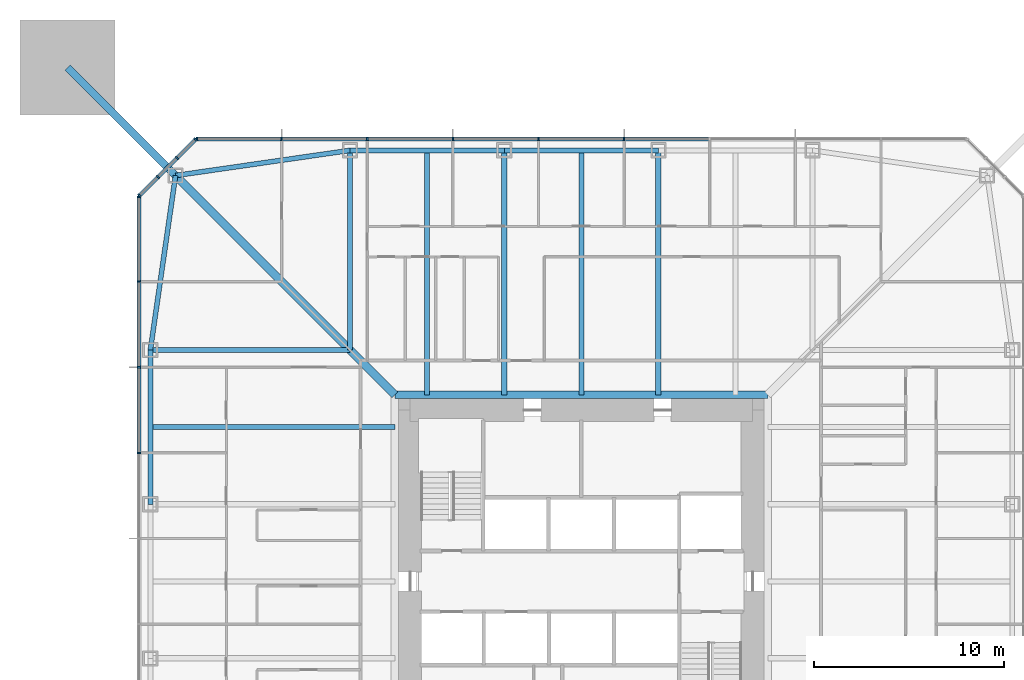
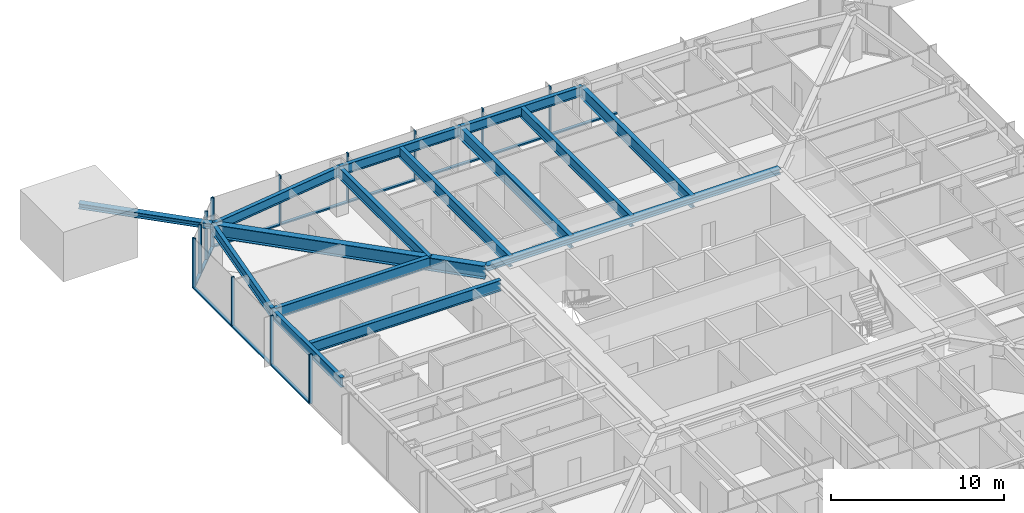
# One storey, part 6 of 26: 27 members, 14 beams, 3 elements without a shape of their own.
"""IFC4 building model written with IfcOpenShell, lengths in metres."""

from ifc_helpers import new_model, si_unit, direction, frame, origin, origin_2d, place, context, subcontext, project, spatial, rectangle, i_section, extrude, material, material_profile, profile_set, type_object, element, aggregate, save


model = new_model("IFC4")

# Units and contexts
model_context = context("Model", 3, precision=1e-05, world=origin(), true_north=direction((0.0, 1.0)))
body_context = subcontext(model_context, "Body", "Model", "MODEL_VIEW")
ifc_project = project(units=[si_unit("LENGTHUNIT", "METRE"), si_unit("AREAUNIT", "SQUARE_METRE"), si_unit("VOLUMEUNIT", "CUBIC_METRE"), si_unit("PLANEANGLEUNIT", "RADIAN"), si_unit("MASSUNIT", "GRAM", prefix="KILO")], contexts=[model_context])

# Site, building, storey
site_placement = place(None, origin())
site = spatial("IfcSite", under=ifc_project, at=site_placement, CompositionType="ELEMENT")
building_placement = place(site_placement, origin())
building = spatial("IfcBuilding", under=site, at=building_placement, Name="Iwan Alto Co-Living Towers", CompositionType="ELEMENT")
storey_placement = place(building_placement, frame((0.0, 0.0, 67.5)))
storey = spatial("IfcBuildingStorey", under=building, at=storey_placement, Name="L18", CompositionType="ELEMENT", Elevation=67.5)

# Curtain wall, members
ifc_material_1 = material(Name="Bronze aluminium unitised frame", Category="aluminium")
curtain_wall_type_1 = type_object("IfcCurtainWallType", Name="CURTAIN WALL CW-A", PredefinedType="NOTDEFINED", material=ifc_material_1)
curtain_wall_1_placement = place(storey_placement, origin())
curtain_wall_1 = element("IfcCurtainWall", 1, at=curtain_wall_1_placement, inside=storey, type_object=curtain_wall_type_1, Name="T1 curtain wall N L18", PredefinedType="NOTDEFINED")
ifc_material_2 = material(Name="Aluminium 6063-T6 bronze anodised", Category="aluminium")
ifc_material_profile_1 = material_profile(ifc_material_2, rectangle(XDim=0.199951171875, YDim=0.080078125, at=origin_2d()), Name="AL 80X200")
ifc_profile_set_1 = profile_set([ifc_material_profile_1], Name="Aluminium 6063-T6 bronze anodised")
member_type_1 = type_object("IfcMemberType", Name="CW-A MULLION 80X200", PredefinedType="MULLION", material=ifc_profile_set_1)
member_1_placement = place(storey_placement, frame((2.25, 23.25, 0.0), z_axis=(0.0, 0.0, 1.0), x_axis=(0.0, -1.0, 0.0)))
member_1 = element("IfcMember", 2, at=member_1_placement, type_object=member_type_1, Name="CW-A mullion 5", PredefinedType="MULLION", context=body_context, shape_type="SweptSolid", body=[
    extrude(rectangle(XDim=0.199951171875, YDim=0.080078125, at=origin_2d()), origin(), (0.0, 0.0, 1.0), 3.5),
])
member_2_placement = place(storey_placement, frame((-2.25, 23.25, 0.0), z_axis=(0.0, 0.0, 1.0), x_axis=(0.0, -1.0, 0.0)))
member_2 = element("IfcMember", 3, at=member_2_placement, type_object=member_type_1, Name="CW-A mullion 6", PredefinedType="MULLION", context=body_context, shape_type="SweptSolid", body=[
    extrude(rectangle(XDim=0.199951171875, YDim=0.080078125, at=origin_2d()), origin(), (0.0, 0.0, 1.0), 3.5),
])
member_3_placement = place(storey_placement, frame((-6.75, 23.25, 0.0), z_axis=(0.0, 0.0, 1.0), x_axis=(0.0, -1.0, 0.0)))
member_3 = element("IfcMember", 4, at=member_3_placement, type_object=member_type_1, Name="CW-A mullion 7", PredefinedType="MULLION", context=body_context, shape_type="SweptSolid", body=[
    extrude(rectangle(XDim=0.199951171875, YDim=0.080078125, at=origin_2d()), origin(), (0.0, 0.0, 1.0), 3.5),
])
member_4_placement = place(storey_placement, frame((-11.25, 23.25, 0.0), z_axis=(0.0, 0.0, 1.0), x_axis=(0.0, -1.0, 0.0)))
member_4 = element("IfcMember", 5, at=member_4_placement, type_object=member_type_1, Name="CW-A mullion 8", PredefinedType="MULLION", context=body_context, shape_type="SweptSolid", body=[
    extrude(rectangle(XDim=0.199951171875, YDim=0.080078125, at=origin_2d()), origin(), (0.0, 0.0, 1.0), 3.5),
])
member_5_placement = place(storey_placement, frame((-15.75, 23.25, 0.0), z_axis=(0.0, 0.0, 1.0), x_axis=(0.0, -1.0, 0.0)))
member_5 = element("IfcMember", 6, at=member_5_placement, type_object=member_type_1, Name="CW-A mullion 9", PredefinedType="MULLION", context=body_context, shape_type="SweptSolid", body=[
    extrude(rectangle(XDim=0.199951171875, YDim=0.080078125, at=origin_2d()), origin(), (0.0, 0.0, 1.0), 3.5),
])
member_6_placement = place(storey_placement, frame((-20.2099609375, 23.25, 0.0), z_axis=(0.0, 0.0, 1.0), x_axis=(0.0, -1.0, 0.0)))
member_6 = element("IfcMember", 7, at=member_6_placement, type_object=member_type_1, Name="CW-A mullion 10", PredefinedType="MULLION", context=body_context, shape_type="SweptSolid", body=[
    extrude(rectangle(XDim=0.199951171875, YDim=0.080078125, at=origin_2d()), origin(), (0.0, 0.0, 1.0), 3.5),
])

curtain_wall_2_placement = place(storey_placement, origin())
curtain_wall_2 = element("IfcCurtainWall", 8, at=curtain_wall_2_placement, inside=storey, type_object=curtain_wall_type_1, Name="T1 curtain wall W L18", PredefinedType="NOTDEFINED")
member_7_placement = place(storey_placement, frame((-23.25, 20.2099609375, 0.0), z_axis=(0.0, 0.0, 1.0), x_axis=(1.0, 0.0, 0.0)))
member_7 = element("IfcMember", 9, at=member_7_placement, type_object=member_type_1, Name="CW-A mullion 1", PredefinedType="MULLION", context=body_context, shape_type="SweptSolid", body=[
    extrude(rectangle(XDim=0.199951171875, YDim=0.080078125, at=origin_2d()), origin(), (0.0, 0.0, 1.0), 3.5),
])
member_8_placement = place(storey_placement, frame((-23.25, 15.75, 0.0), z_axis=(0.0, 0.0, 1.0), x_axis=(1.0, 0.0, 0.0)))
member_8 = element("IfcMember", 10, at=member_8_placement, type_object=member_type_1, Name="CW-A mullion 2", PredefinedType="MULLION", context=body_context, shape_type="SweptSolid", body=[
    extrude(rectangle(XDim=0.199951171875, YDim=0.080078125, at=origin_2d()), origin(), (0.0, 0.0, 1.0), 3.5),
])
member_9_placement = place(storey_placement, frame((-23.25, 11.25, 0.0), z_axis=(0.0, 0.0, 1.0), x_axis=(1.0, 0.0, 0.0)))
member_9 = element("IfcMember", 11, at=member_9_placement, type_object=member_type_1, Name="CW-A mullion 3", PredefinedType="MULLION", context=body_context, shape_type="SweptSolid", body=[
    extrude(rectangle(XDim=0.199951171875, YDim=0.080078125, at=origin_2d()), origin(), (0.0, 0.0, 1.0), 3.5),
])
member_10_placement = place(storey_placement, frame((-23.25, 6.75, 0.0), z_axis=(0.0, 0.0, 1.0), x_axis=(1.0, 0.0, 0.0)))
member_10 = element("IfcMember", 12, at=member_10_placement, type_object=member_type_1, Name="CW-A mullion 4", PredefinedType="MULLION", context=body_context, shape_type="SweptSolid", body=[
    extrude(rectangle(XDim=0.199951171875, YDim=0.080078125, at=origin_2d()), origin(), (0.0, 0.0, 1.0), 3.5),
])

# Member
ifc_material_3 = material(Name="Aluminium 6063-T6 bronze anodised", Category="aluminium")
ifc_material_profile_2 = material_profile(ifc_material_3, rectangle(XDim=0.199951171875, YDim=0.10009765625, at=origin_2d()), Name="AL 200X100")
ifc_profile_set_2 = profile_set([ifc_material_profile_2], Name="Aluminium 6063-T6 bronze anodised")
member_type_2 = type_object("IfcMemberType", Name="CW-A TRANSOM 200X100", PredefinedType="USERDEFINED", material=ifc_profile_set_2)
member_11_placement = place(storey_placement, frame((6.7099609375, 23.25, 0.050048828125), z_axis=(-1.0, 0.0, 0.0), x_axis=(0.0, -1.0, 0.0)))
member_11 = element("IfcMember", 13, at=member_11_placement, type_object=member_type_2, Name="CW-A transom 4.1", ObjectType="TRANSOM", PredefinedType="USERDEFINED", context=body_context, shape_type="SweptSolid", body=[
    extrude(rectangle(XDim=0.199951171875, YDim=0.10009765625, at=origin_2d()), origin(), (0.0, 0.0, 1.0), 4.419921875),
])

member_12_placement = place(storey_placement, frame((2.2099609375, 23.25, 0.050048828125), z_axis=(-1.0, 0.0, 0.0), x_axis=(0.0, -1.0, 0.0)))
member_12 = element("IfcMember", 14, at=member_12_placement, type_object=member_type_2, Name="CW-A transom 5.1", ObjectType="TRANSOM", PredefinedType="USERDEFINED", context=body_context, shape_type="SweptSolid", body=[
    extrude(rectangle(XDim=0.199951171875, YDim=0.10009765625, at=origin_2d()), origin(), (0.0, 0.0, 1.0), 4.419921875),
])

member_13_placement = place(storey_placement, frame((-2.2900390625, 23.25, 0.050048828125), z_axis=(-1.0, 0.0, 0.0), x_axis=(0.0, -1.0, 0.0)))
member_13 = element("IfcMember", 15, at=member_13_placement, type_object=member_type_2, Name="CW-A transom 6.1", ObjectType="TRANSOM", PredefinedType="USERDEFINED", context=body_context, shape_type="SweptSolid", body=[
    extrude(rectangle(XDim=0.199951171875, YDim=0.10009765625, at=origin_2d()), origin(), (0.0, 0.0, 1.0), 4.419921875),
])

member_14_placement = place(storey_placement, frame((-6.7900390625, 23.25, 0.050048828125), z_axis=(-1.0, 0.0, 0.0), x_axis=(0.0, -1.0, 0.0)))
member_14 = element("IfcMember", 16, at=member_14_placement, type_object=member_type_2, Name="CW-A transom 7.1", ObjectType="TRANSOM", PredefinedType="USERDEFINED", context=body_context, shape_type="SweptSolid", body=[
    extrude(rectangle(XDim=0.199951171875, YDim=0.10009765625, at=origin_2d()), origin(), (0.0, 0.0, 1.0), 4.419921875),
])

member_15_placement = place(storey_placement, frame((-11.2900390625, 23.25, 0.050048828125), z_axis=(-1.0, 0.0, 0.0), x_axis=(0.0, -1.0, 0.0)))
member_15 = element("IfcMember", 17, at=member_15_placement, type_object=member_type_2, Name="CW-A transom 8.1", ObjectType="TRANSOM", PredefinedType="USERDEFINED", context=body_context, shape_type="SweptSolid", body=[
    extrude(rectangle(XDim=0.199951171875, YDim=0.10009765625, at=origin_2d()), origin(), (0.0, 0.0, 1.0), 4.419921875),
])

member_16_placement = place(storey_placement, frame((-15.7900390625, 23.25, 0.050048828125), z_axis=(-1.0, 0.0, 0.0), x_axis=(0.0, -1.0, 0.0)))
member_16 = element("IfcMember", 18, at=member_16_placement, type_object=member_type_2, Name="CW-A transom 9.1", ObjectType="TRANSOM", PredefinedType="USERDEFINED", context=body_context, shape_type="SweptSolid", body=[
    extrude(rectangle(XDim=0.199951171875, YDim=0.10009765625, at=origin_2d()), origin(), (0.0, 0.0, 1.0), 4.3798828125),
])

aggregate(curtain_wall_1, [member_1, member_2, member_3, member_4, member_5, member_6, member_11, member_12, member_13, member_14, member_15, member_16])

member_17_placement = place(storey_placement, frame((-23.25, 20.169921875, 0.050048828125), z_axis=(0.0, -1.0, 0.0), x_axis=(1.0, 0.0, 0.0)))
member_17 = element("IfcMember", 19, at=member_17_placement, type_object=member_type_2, Name="CW-A transom 1.1", ObjectType="TRANSOM", PredefinedType="USERDEFINED", context=body_context, shape_type="SweptSolid", body=[
    extrude(rectangle(XDim=0.199951171875, YDim=0.10009765625, at=origin_2d()), origin(), (0.0, 0.0, 1.0), 4.3798828125),
])

member_18_placement = place(storey_placement, frame((-23.25, 15.7099609375, 0.050048828125), z_axis=(0.0, -1.0, 0.0), x_axis=(1.0, 0.0, 0.0)))
member_18 = element("IfcMember", 20, at=member_18_placement, type_object=member_type_2, Name="CW-A transom 2.1", ObjectType="TRANSOM", PredefinedType="USERDEFINED", context=body_context, shape_type="SweptSolid", body=[
    extrude(rectangle(XDim=0.199951171875, YDim=0.10009765625, at=origin_2d()), origin(), (0.0, 0.0, 1.0), 4.419921875),
])

member_19_placement = place(storey_placement, frame((-23.25, 11.2099609375, 0.050048828125), z_axis=(0.0, -1.0, 0.0), x_axis=(1.0, 0.0, 0.0)))
member_19 = element("IfcMember", 21, at=member_19_placement, type_object=member_type_2, Name="CW-A transom 3.1", ObjectType="TRANSOM", PredefinedType="USERDEFINED", context=body_context, shape_type="SweptSolid", body=[
    extrude(rectangle(XDim=0.199951171875, YDim=0.10009765625, at=origin_2d()), origin(), (0.0, 0.0, 1.0), 4.419921875),
])

aggregate(curtain_wall_2, [member_7, member_8, member_9, member_10, member_17, member_18, member_19])

# Curtain wall, members
ifc_material_4 = material(Name="Bronze aluminium unitised frame", Category="aluminium")
curtain_wall_type_2 = type_object("IfcCurtainWallType", Name="CURTAIN WALL CW-B", PredefinedType="NOTDEFINED", material=ifc_material_4)
curtain_wall_3_placement = place(storey_placement, origin())
curtain_wall_3 = element("IfcCurtainWall", 22, at=curtain_wall_3_placement, inside=storey, type_object=curtain_wall_type_2, Name="T1 chamfer curtain wall NW L18", PredefinedType="NOTDEFINED")
ifc_material_5 = material(Name="Aluminium 6063-T6 bronze anodised", Category="aluminium")
ifc_material_profile_3 = material_profile(ifc_material_5, rectangle(XDim=0.199951171875, YDim=0.080078125, at=origin_2d()), Name="AL 80X200")
ifc_profile_set_3 = profile_set([ifc_material_profile_3], Name="Aluminium 6063-T6 bronze anodised")
member_type_3 = type_object("IfcMemberType", Name="CW-B MULLION 80X200", PredefinedType="MULLION", material=ifc_profile_set_3)
member_20_placement = place(storey_placement, frame((-20.2783203125, 23.2216796875, 0.0), z_axis=(0.0, 0.0, 1.0), x_axis=(0.707106781187, -0.707106781187, 0.0)))
member_20 = element("IfcMember", 23, at=member_20_placement, type_object=member_type_3, Name="CW-B mullion 1", PredefinedType="MULLION", context=body_context, shape_type="SweptSolid", body=[
    extrude(rectangle(XDim=0.199951171875, YDim=0.080078125, at=origin_2d()), origin(), (0.0, 0.0, 1.0), 3.5),
])
member_21_placement = place(storey_placement, frame((-21.25, 22.25, 0.0), z_axis=(0.0, 0.0, 1.0), x_axis=(0.707106781187, -0.707106781187, 0.0)))
member_21 = element("IfcMember", 24, at=member_21_placement, type_object=member_type_3, Name="CW-B mullion 2", PredefinedType="MULLION", context=body_context, shape_type="SweptSolid", body=[
    extrude(rectangle(XDim=0.199951171875, YDim=0.080078125, at=origin_2d()), origin(), (0.0, 0.0, 1.0), 3.5),
])
member_22_placement = place(storey_placement, frame((-22.25, 21.25, 0.0), z_axis=(0.0, 0.0, 1.0), x_axis=(0.707106781187, -0.707106781187, 0.0)))
member_22 = element("IfcMember", 25, at=member_22_placement, type_object=member_type_3, Name="CW-B mullion 3", PredefinedType="MULLION", context=body_context, shape_type="SweptSolid", body=[
    extrude(rectangle(XDim=0.199951171875, YDim=0.080078125, at=origin_2d()), origin(), (0.0, 0.0, 1.0), 3.5),
])
member_23_placement = place(storey_placement, frame((-23.2216796875, 20.2783203125, 0.0), z_axis=(0.0, 0.0, 1.0), x_axis=(0.707106781187, -0.707106781187, 0.0)))
member_23 = element("IfcMember", 26, at=member_23_placement, type_object=member_type_3, Name="CW-B mullion 4", PredefinedType="MULLION", context=body_context, shape_type="SweptSolid", body=[
    extrude(rectangle(XDim=0.199951171875, YDim=0.080078125, at=origin_2d()), origin(), (0.0, 0.0, 1.0), 3.5),
])
ifc_material_6 = material(Name="Aluminium 6063-T6 bronze anodised", Category="aluminium")
ifc_material_profile_4 = material_profile(ifc_material_6, rectangle(XDim=0.199951171875, YDim=0.10009765625, at=origin_2d()), Name="AL 200X100")
ifc_profile_set_4 = profile_set([ifc_material_profile_4], Name="Aluminium 6063-T6 bronze anodised")
member_type_4 = type_object("IfcMemberType", Name="CW-B TRANSOM 200X100", PredefinedType="USERDEFINED", material=ifc_profile_set_4)
member_24_placement = place(storey_placement, frame((-20.306640625, 23.193359375, 0.050048828125), z_axis=(-0.707106781187, -0.707106781187, 0.0), x_axis=(0.707106781187, -0.707106781187, 0.0)))
member_24 = element("IfcMember", 27, at=member_24_placement, type_object=member_type_4, Name="CW-B transom 1.1", ObjectType="TRANSOM", PredefinedType="USERDEFINED", context=body_context, shape_type="SweptSolid", body=[
    extrude(rectangle(XDim=0.199951171875, YDim=0.10009765625, at=origin_2d()), origin(), (0.0, 0.0, 1.0), 1.2939453125),
])
member_25_placement = place(storey_placement, frame((-21.2783203125, 22.2216796875, 0.050048828125), z_axis=(-0.707106781187, -0.707106781187, 0.0), x_axis=(0.707106781187, -0.707106781187, 0.0)))
member_25 = element("IfcMember", 28, at=member_25_placement, type_object=member_type_4, Name="CW-B transom 2.1", ObjectType="TRANSOM", PredefinedType="USERDEFINED", context=body_context, shape_type="SweptSolid", body=[
    extrude(rectangle(XDim=0.199951171875, YDim=0.10009765625, at=origin_2d()), origin(), (0.0, 0.0, 1.0), 1.334228515625),
])
member_26_placement = place(storey_placement, frame((-22.2783203125, 21.2216796875, 0.050048828125), z_axis=(-0.707106781187, -0.707106781187, 0.0), x_axis=(0.707106781187, -0.707106781187, 0.0)))
member_26 = element("IfcMember", 29, at=member_26_placement, type_object=member_type_4, Name="CW-B transom 3.1", ObjectType="TRANSOM", PredefinedType="USERDEFINED", context=body_context, shape_type="SweptSolid", body=[
    extrude(rectangle(XDim=0.199951171875, YDim=0.10009765625, at=origin_2d()), origin(), (0.0, 0.0, 1.0), 1.2939453125),
])
aggregate(curtain_wall_3, [member_20, member_21, member_22, member_23, member_24, member_25, member_26])

# Beams
ifc_material_7 = material(Name="Steel ASTM A992 Gr 50", Category="steel")
ifc_material_profile_5 = material_profile(ifc_material_7, i_section(OverallWidth=0.398681640625, OverallDepth=0.385986328125, WebThickness=0.02099609375, FlangeThickness=0.033203125, at=origin_2d()), Name="W14X176")
ifc_profile_set_5 = profile_set([ifc_material_profile_5], Name="Steel ASTM A992 Gr 50")
beam_type_1 = type_object("IfcBeamType", Name="T1 CORE LEDGER BEAM W14X176", PredefinedType="BEAM", material=ifc_profile_set_5)
beam_1_placement = place(storey_placement, frame((9.79931640625, 9.79931640625, 3.076904296875), z_axis=(-1.0, 0.0, 0.0), x_axis=(0.0, -1.0, 0.0)))
element("IfcBeam", 30, at=beam_1_placement, inside=storey, type_object=beam_type_1, Name="T1 core ledger beam N L19", PredefinedType="BEAM", context=body_context, shape_type="SweptSolid", body=[
    extrude(i_section(OverallWidth=0.398681640625, OverallDepth=0.385986328125, WebThickness=0.02099609375, FlangeThickness=0.033203125, at=origin_2d()), origin(), (0.0, 0.0, 1.0), 19.5986328125),
])
ifc_material_8 = material(Name="Steel ASTM A992 Gr 50", Category="steel")
ifc_material_profile_6 = material_profile(ifc_material_8, i_section(OverallWidth=0.419189453125, OverallDepth=0.927001953125, WebThickness=0.019287109375, FlangeThickness=0.031982421875, at=origin_2d()), Name="W36X231")
ifc_profile_set_6 = profile_set([ifc_material_profile_6], Name="Steel ASTM A992 Gr 50")
beam_type_2 = type_object("IfcBeamType", Name="T1 CORNER GIRDER W36X231", PredefinedType="BEAM", material=ifc_profile_set_6)
beam_2_placement = place(storey_placement, frame((-21.32568359375, 21.32568359375, 2.806396484375), z_axis=(0.707106781187, -0.707106781187, 0.0), x_axis=(0.707106781187, 0.707106781187, 0.0)))
element("IfcBeam", 31, at=beam_2_placement, inside=storey, type_object=beam_type_2, Name="T1 corner girder CNW L19", PredefinedType="BEAM", context=body_context, shape_type="SweptSolid", body=[
    extrude(i_section(OverallWidth=0.419189453125, OverallDepth=0.927001953125, WebThickness=0.019287109375, FlangeThickness=0.031982421875, at=origin_2d()), origin(), (0.0, 0.0, 1.0), 16.30078125),
])
ifc_material_9 = material(Name="Steel ASTM A992 Gr 50", Category="steel")
ifc_material_profile_7 = material_profile(ifc_material_9, i_section(OverallWidth=0.25390625, OverallDepth=0.683349609375, WebThickness=0.012451171875, FlangeThickness=0.018798828125, at=origin_2d()), Name="W27X94")
ifc_profile_set_7 = profile_set([ifc_material_profile_7], Name="Steel ASTM A992 Gr 50")
beam_type_3 = type_object("IfcBeamType", Name="T1 EDGE BEAM W27X94", PredefinedType="BEAM", material=ifc_profile_set_7)
beam_3_placement = place(storey_placement, frame((4.050048828125, 22.64990234375, 2.928466796875), z_axis=(-1.0, 0.0, 0.0), x_axis=(0.0, -1.0, 0.0)))
element("IfcBeam", 32, at=beam_3_placement, inside=storey, type_object=beam_type_3, Name="T1 edge beam N2 L19", PredefinedType="BEAM", context=body_context, shape_type="SweptSolid", body=[
    extrude(i_section(OverallWidth=0.25390625, OverallDepth=0.683349609375, WebThickness=0.012451171875, FlangeThickness=0.018798828125, at=origin_2d()), origin(), (0.0, 0.0, 1.0), 8.10009765625),
])
beam_4_placement = place(storey_placement, frame((-4.050048828125, 22.64990234375, 2.928466796875), z_axis=(-1.0, 0.0, 0.0), x_axis=(0.0, -1.0, 0.0)))
element("IfcBeam", 33, at=beam_4_placement, inside=storey, type_object=beam_type_3, Name="T1 edge beam N3 L19", PredefinedType="BEAM", context=body_context, shape_type="SweptSolid", body=[
    extrude(i_section(OverallWidth=0.25390625, OverallDepth=0.683349609375, WebThickness=0.012451171875, FlangeThickness=0.018798828125, at=origin_2d()), origin(), (0.0, 0.0, 1.0), 8.099853515625),
])
for number, where, z_axis, x_axis, name in (
    (34, (-12.14990234375, 22.64990234375, 2.928466796875), (-0.989746234347, -0.142836940589, 0.0), (0.142836940589, -0.989746234347, 0.0), "T1 edge beam N4 L19"),
    (35, (-21.32568359375, 21.32568359375, 2.928466796875), (-0.142836940589, -0.989746234347, 0.0), (0.989746234347, -0.142836940589, 0.0), "T1 edge beam CNW L19"),
):
    element("IfcBeam", number, at=place(storey_placement, frame(where, z_axis=z_axis, x_axis=x_axis)), inside=storey, type_object=beam_type_3, Name=name, PredefinedType="BEAM", context=body_context, shape_type="SweptSolid", body=[
        extrude(i_section(OverallWidth=0.25390625, OverallDepth=0.683349609375, WebThickness=0.012451171875, FlangeThickness=0.018798828125, at=origin_2d()), origin(), (0.0, 0.0, 1.0), 9.270751953125),
    ])
beam_5_placement = place(storey_placement, frame((-22.64990234375, 12.14990234375, 2.928466796875), z_axis=(0.0, -1.0, 0.0), x_axis=(1.0, 0.0, 0.0)))
element("IfcBeam", 36, at=beam_5_placement, inside=storey, type_object=beam_type_3, Name="T1 edge beam W1 L19", PredefinedType="BEAM", context=body_context, shape_type="SweptSolid", body=[
    extrude(i_section(OverallWidth=0.25390625, OverallDepth=0.683349609375, WebThickness=0.012451171875, FlangeThickness=0.018798828125, at=origin_2d()), origin(), (0.0, 0.0, 1.0), 8.099853515625),
])

# Member
ifc_material_10 = material(Name="Steel ASTM A992 Gr 50", Category="steel")
ifc_material_profile_8 = material_profile(ifc_material_10, i_section(OverallWidth=0.393798828125, OverallDepth=0.3759765625, WebThickness=0.017333984375, FlangeThickness=0.027587890625, at=origin_2d()), Name="W14X145")
ifc_profile_set_8 = profile_set([ifc_material_profile_8], Name="Steel ASTM A992 Gr 50")
member_type_5 = type_object("IfcMemberType", Name="T1 MEGA COLUMN FLOOR TIE W14X145", PredefinedType="STRUT", material=ifc_profile_set_8)
member_27_placement = place(storey_placement, frame((-27.0, 27.0, 3.08203125), z_axis=(0.707106781187, -0.707106781187, 0.0), x_axis=(0.707106781187, 0.707106781187, 0.0)))
element("IfcMember", 37, at=member_27_placement, inside=storey, type_object=member_type_5, Name="T1 mega column floor tie NW L19", PredefinedType="STRUT", context=body_context, shape_type="SweptSolid", body=[
    extrude(i_section(OverallWidth=0.393798828125, OverallDepth=0.3759765625, WebThickness=0.017333984375, FlangeThickness=0.027587890625, at=origin_2d()), origin(), (0.0, 0.0, 1.0), 8.024658203125),
])

# Beams
ifc_material_11 = material(Name="Steel ASTM A992 Gr 50", Category="steel")
ifc_material_profile_9 = material_profile(ifc_material_11, i_section(OverallWidth=0.2666015625, OverallDepth=0.761962890625, WebThickness=0.014404296875, FlangeThickness=0.021484375, at=origin_2d()), Name="W30X116")
ifc_profile_set_9 = profile_set([ifc_material_profile_9], Name="Steel ASTM A992 Gr 50")
beam_type_4 = type_object("IfcBeamType", Name="T1 RADIAL BEAM W30X116", PredefinedType="BEAM", material=ifc_profile_set_9)
for number, where, z_axis, x_axis, name in (
    (38, (-12.14990234375, 22.64990234375, 2.888916015625), (0.0, -1.0, 0.0), (1.0, 0.0, 0.0), "T1 radial beam N4 L19"),
    (39, (-22.64990234375, 12.14990234375, 2.888916015625), (1.0, 0.0, 0.0), (0.0, 1.0, 0.0), "T1 radial beam W1 L19"),
):
    element("IfcBeam", number, at=place(storey_placement, frame(where, z_axis=z_axis, x_axis=x_axis)), inside=storey, type_object=beam_type_4, Name=name, PredefinedType="BEAM", context=body_context, shape_type="SweptSolid", body=[
        extrude(i_section(OverallWidth=0.2666015625, OverallDepth=0.761962890625, WebThickness=0.014404296875, FlangeThickness=0.021484375, at=origin_2d()), origin(), (0.0, 0.0, 1.0), 10.5),
    ])
ifc_material_12 = material(Name="Steel ASTM A992 Gr 50", Category="steel")
ifc_material_profile_10 = material_profile(ifc_material_12, i_section(OverallWidth=0.2919921875, OverallDepth=0.8408203125, WebThickness=0.0146484375, FlangeThickness=0.021728515625, at=origin_2d()), Name="W33X130")
ifc_profile_set_10 = profile_set([ifc_material_profile_10], Name="Steel ASTM A992 Gr 50")
beam_type_5 = type_object("IfcBeamType", Name="T1 RADIAL BEAM W33X130", PredefinedType="BEAM", material=ifc_profile_set_10)
for number, where, z_axis, x_axis, name in (
    (40, (4.050048828125, 22.64990234375, 2.849609375), (0.0, -1.0, 0.0), (1.0, 0.0, 0.0), "T1 radial beam N2 L19"),
    (41, (-4.050048828125, 22.64990234375, 2.849609375), (0.0, -1.0, 0.0), (1.0, 0.0, 0.0), "T1 radial beam N3 L19"),
):
    element("IfcBeam", number, at=place(storey_placement, frame(where, z_axis=z_axis, x_axis=x_axis)), inside=storey, type_object=beam_type_5, Name=name, PredefinedType="BEAM", context=body_context, shape_type="SweptSolid", body=[
        extrude(i_section(OverallWidth=0.2919921875, OverallDepth=0.8408203125, WebThickness=0.0146484375, FlangeThickness=0.021728515625, at=origin_2d()), origin(), (0.0, 0.0, 1.0), 12.8505859375),
    ])
ifc_material_13 = material(Name="Steel ASTM A992 Gr 50", Category="steel")
ifc_material_profile_11 = material_profile(ifc_material_13, i_section(OverallWidth=0.2666015625, OverallDepth=0.761962890625, WebThickness=0.014404296875, FlangeThickness=0.021484375, at=origin_2d()), Name="W30X116")
ifc_profile_set_11 = profile_set([ifc_material_profile_11], Name="Steel ASTM A992 Gr 50")
beam_type_6 = type_object("IfcBeamType", Name="T1 SECONDARY BEAM W30X116", PredefinedType="JOIST", material=ifc_profile_set_11)
for number, where, z_axis, x_axis, name in (
    (42, (0.0, 22.64990234375, 2.888916015625), (0.0, -1.0, 0.0), (1.0, 0.0, 0.0), "T1 secondary beam N2 L19"),
    (43, (-8.10009765625, 22.64990234375, 2.888916015625), (0.0, -1.0, 0.0), (1.0, 0.0, 0.0), "T1 secondary beam N3 L19"),
    (44, (-22.64990234375, 8.10009765625, 2.888916015625), (1.0, 0.0, 0.0), (0.0, 1.0, 0.0), "T1 secondary beam W1 L19"),
):
    element("IfcBeam", number, at=place(storey_placement, frame(where, z_axis=z_axis, x_axis=x_axis)), inside=storey, type_object=beam_type_6, Name=name, PredefinedType="JOIST", context=body_context, shape_type="SweptSolid", body=[
        extrude(i_section(OverallWidth=0.2666015625, OverallDepth=0.761962890625, WebThickness=0.014404296875, FlangeThickness=0.021484375, at=origin_2d()), origin(), (0.0, 0.0, 1.0), 12.8505859375),
    ])

save(model, "model.ifc")
